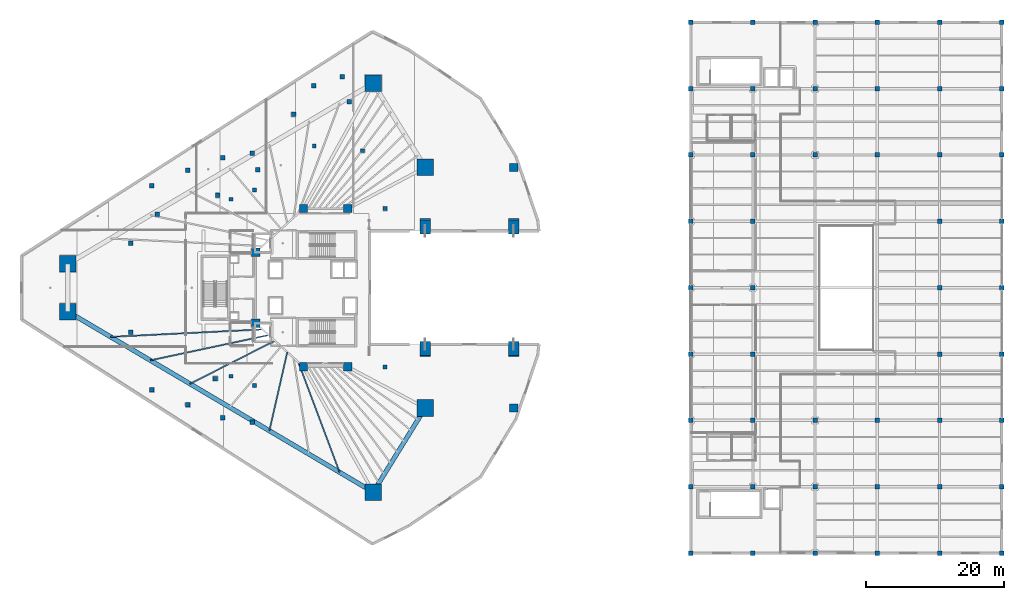
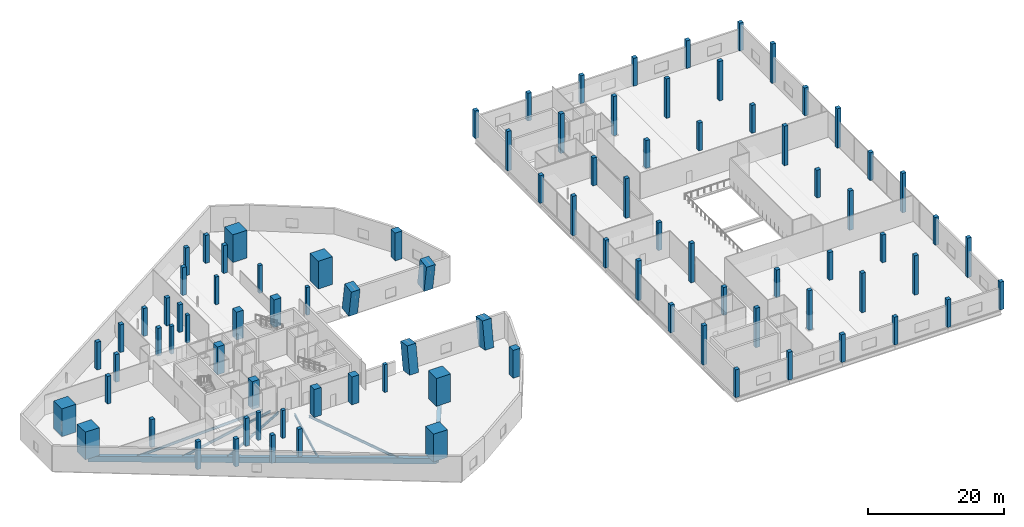
# One storey, part 1 of 43: 92 columns, 7 beams.
"""IFC4 building model written with IfcOpenShell, lengths in metres."""

from ifc_helpers import new_model, si_unit, direction, frame, origin, origin_2d, place, context, subcontext, project, spatial, rectangle, i_section, extrude, material, material_profile, profile_set, type_object, element, save


model = new_model("IFC4")

# Units and contexts
model_context = context("Model", 3, precision=1e-05, world=origin(), true_north=direction((0.0, 1.0)))
body_context = subcontext(model_context, "Body", "Model", "MODEL_VIEW")
ifc_project = project(units=[si_unit("LENGTHUNIT", "METRE"), si_unit("AREAUNIT", "SQUARE_METRE"), si_unit("VOLUMEUNIT", "CUBIC_METRE"), si_unit("PLANEANGLEUNIT", "RADIAN"), si_unit("MASSUNIT", "GRAM", prefix="KILO")], contexts=[model_context])

# Site, building, storey
site_placement = place(None, origin())
site = spatial("IfcSite", under=ifc_project, at=site_placement, CompositionType="ELEMENT")
building_placement = place(site_placement, origin())
building = spatial("IfcBuilding", under=site, at=building_placement, Name="Qorvath Tower", CompositionType="ELEMENT")
storey_placement = place(building_placement, frame((0.0, 0.0, 22.0)))
storey = spatial("IfcBuildingStorey", under=building, at=storey_placement, Name="L04", CompositionType="ELEMENT", Elevation=22.0)

# Columns
ifc_material_1 = material(Name="Concrete C70/85", Category="concrete")
ifc_material_profile_1 = material_profile(ifc_material_1, rectangle(XDim=1.5, YDim=2.0, at=origin_2d()), Name="ARCH 2000x1500")
ifc_profile_set_1 = profile_set([ifc_material_profile_1], Name="Concrete C70/85")
column_type_1 = type_object("IfcColumnType", Name="COL-ARCH2", PredefinedType="PILASTER", material=ifc_profile_set_1)
for number, where, z_axis, x_axis, name in (
    (1, (6.800048828125, 8.9912109375, 0.05419921875), (0.0, -0.157955298132, 0.987446263749), (1.0, 0.0, 0.0), "Giant Concrete Arch Rib Chord ARCH-FRONT-N-L04"),
    (2, (6.800048828125, -8.9912109375, 0.05419921875), (0.0, 0.157955298132, 0.987446263749), (-1.0, 0.0, 0.0), "Giant Concrete Arch Rib Chord ARCH-FRONT-S-L04"),
    (3, (-6.0, 8.9912109375, 0.05419921875), (0.0, -0.157955298132, 0.987446263749), (1.0, 0.0, 0.0), "Giant Concrete Arch Rib Chord ARCH-INNER-N-L04"),
    (4, (-6.0, -8.9912109375, 0.05419921875), (0.0, 0.157955298132, 0.987446263749), (-1.0, 0.0, 0.0), "Giant Concrete Arch Rib Chord ARCH-INNER-S-L04"),
):
    element("IfcColumn", number, at=place(storey_placement, frame(where, z_axis=z_axis, x_axis=x_axis)), inside=storey, type_object=column_type_1, Name=name, PredefinedType="PILASTER", context=body_context, shape_type="SweptSolid", body=[
        extrude(rectangle(XDim=1.5, YDim=2.0, at=origin_2d()), origin(), (0.0, 0.0, 1.0), 4.86865234375),
    ])
ifc_material_2 = material(Name="Concrete C70/85", Category="concrete")
ifc_material_profile_2 = material_profile(ifc_material_2, rectangle(XDim=2.39990234375, YDim=2.39990234375, at=origin_2d()), Name="MC 2400x2400")
ifc_profile_set_2 = profile_set([ifc_material_profile_2], Name="Concrete C70/85")
column_type_2 = type_object("IfcColumnType", Name="COL-MC1", PredefinedType="COLUMN", material=ifc_profile_set_2)
for number, where, z_axis, x_axis, name in (
    (5, (-57.679931640625, 3.4560546875, 0.0), (0.0, 0.0, 1.0), (1.0, 0.0, 0.0), "Composite Mega-Column MC1 L04"),
    (6, (-57.679931640625, -3.4560546875, 0.0), (0.0, 0.0, 1.0), (1.0, 0.0, 0.0), "Composite Mega-Column MC2 L04"),
    (7, (-13.52001953125, -29.568115234375, 0.0), (0.0, 0.0, 1.0), (1.0, 0.0, 0.0), "Composite Mega-Column MC3 L04"),
    (8, (-6.0, -17.39990234375, 0.0), (0.0, 0.0, 1.0), (1.0, 0.0, 0.0), "Composite Mega-Column MC4 L04"),
    (9, (-6.0, 17.39990234375, 0.0), (0.0, 0.0, 1.0), (1.0, 0.0, 0.0), "Composite Mega-Column MC5 L04"),
    (10, (-13.52001953125, 29.568115234375, 0.0), (0.0, 0.0, 1.0), (1.0, 0.0, 0.0), "Composite Mega-Column MC6 L04"),
):
    element("IfcColumn", number, at=place(storey_placement, frame(where, z_axis=z_axis, x_axis=x_axis)), inside=storey, type_object=column_type_2, Name=name, PredefinedType="COLUMN", context=body_context, shape_type="SweptSolid", body=[
        extrude(rectangle(XDim=2.39990234375, YDim=2.39990234375, at=origin_2d()), origin(), (0.0, 0.0, 1.0), 5.0),
    ])
ifc_material_3 = material(Name="Concrete C60/75", Category="concrete")
ifc_material_profile_3 = material_profile(ifc_material_3, rectangle(XDim=1.199951171875, YDim=1.199951171875, at=origin_2d()), Name="RC 1200x1200")
ifc_profile_set_3 = profile_set([ifc_material_profile_3], Name="Concrete C60/75")
column_type_3 = type_object("IfcColumnType", Name="COL-RC1", PredefinedType="COLUMN", material=ifc_profile_set_3)
for number, where, z_axis, x_axis, name in (
    (11, (6.800048828125, 17.39990234375, 0.0), (0.0, 0.0, 1.0), (1.0, 0.0, 0.0), "Arch Portal Pier FRONT-N L04"),
    (12, (6.800048828125, -17.39990234375, 0.0), (0.0, 0.0, 1.0), (1.0, 0.0, 0.0), "Arch Portal Pier FRONT-S L04"),
    (13, (-23.60009765625, 11.449951171875, 0.0), (0.0, 0.0, 1.0), (1.0, 0.0, 0.0), "Core Spine Column CC1 L04"),
    (14, (-17.199951171875, 11.449951171875, 0.0), (0.0, 0.0, 1.0), (1.0, 0.0, 0.0), "Core Spine Column CC2 L04"),
    (15, (-17.199951171875, -11.449951171875, 0.0), (0.0, 0.0, 1.0), (1.0, 0.0, 0.0), "Core Spine Column CC3 L04"),
    (16, (-23.60009765625, -11.449951171875, 0.0), (0.0, 0.0, 1.0), (1.0, 0.0, 0.0), "Core Spine Column CC4 L04"),
    (17, (-30.5, 5.14990234375, 0.0), (0.0, 0.0, 1.0), (1.0, 0.0, 0.0), "Core Spine Column CC5 L04"),
    (18, (-30.5, -5.14990234375, 0.0), (0.0, 0.0, 1.0), (1.0, 0.0, 0.0), "Core Spine Column CC6 L04"),
):
    element("IfcColumn", number, at=place(storey_placement, frame(where, z_axis=z_axis, x_axis=x_axis)), inside=storey, type_object=column_type_3, Name=name, PredefinedType="COLUMN", context=body_context, shape_type="SweptSolid", body=[
        extrude(rectangle(XDim=1.199951171875, YDim=1.199951171875, at=origin_2d()), origin(), (0.0, 0.0, 1.0), 5.0),
    ])
ifc_material_4 = material(Name="Concrete C45/55", Category="concrete")
ifc_material_profile_4 = material_profile(ifc_material_4, rectangle(XDim=0.64990234375, YDim=0.64990234375, at=origin_2d()), Name="RC 650x650")
ifc_profile_set_4 = profile_set([ifc_material_profile_4], Name="Concrete C45/55")
column_type_4 = type_object("IfcColumnType", Name="COL-RC6", PredefinedType="COLUMN", material=ifc_profile_set_4)
for number, where, z_axis, x_axis, name in (
    (19, (-45.536376953125, 14.774658203125, 0.0), (0.0, 0.0, 1.0), (1.0, 0.0, 0.0), "Loggia Frame Pier Column LGA1 L04"),
    (20, (-45.536376953125, -14.774658203125, 0.0), (0.0, 0.0, 1.0), (1.0, 0.0, 0.0), "Loggia Frame Pier Column LGA2 L04"),
    (21, (-22.13134765625, 29.20556640625, 0.0), (0.0, 0.0, 1.0), (1.0, 0.0, 0.0), "Loggia Frame Pier Column LGA3 L04"),
    (22, (-40.33251953125, 16.955810546875, 0.0), (0.0, 0.0, 1.0), (1.0, 0.0, 0.0), "Loggia Frame Pier Column LGB1 L04"),
    (23, (-40.33251953125, -16.955810546875, 0.0), (0.0, 0.0, 1.0), (1.0, 0.0, 0.0), "Loggia Frame Pier Column LGB2 L04"),
    (24, (-18.0, 30.5, 0.0), (0.0, 0.0, 1.0), (1.0, 0.0, 0.0), "Loggia Frame Pier Column LGB3 L04"),
    (25, (-35.251708984375, 18.829345703125, 0.0), (0.0, 0.0, 1.0), (1.0, 0.0, 0.0), "Loggia Frame Pier Column LGC1 L04"),
    (26, (-35.251708984375, -18.829345703125, 0.0), (0.0, 0.0, 1.0), (1.0, 0.0, 0.0), "Loggia Frame Pier Column LGC2 L04"),
    (27, (-25.03759765625, 25.058837890625, 0.0), (0.0, 0.0, 1.0), (1.0, 0.0, 0.0), "Loggia Frame Pier Column LGC3 L04"),
    (28, (-31.01611328125, 19.46044921875, 0.0), (0.0, 0.0, 1.0), (1.0, 0.0, 0.0), "Loggia Frame Pier Column LGD1 L04"),
    (29, (-31.01611328125, -19.46044921875, 0.0), (0.0, 0.0, 1.0), (1.0, 0.0, 0.0), "Loggia Frame Pier Column LGD2 L04"),
    (30, (-44.736328125, 10.65234375, 0.0), (0.0, 0.0, 1.0), (1.0, 0.0, 0.0), "Loggia Frame Pier Column LGD3 L04"),
    (31, (-48.578369140625, 6.424560546875, 0.0), (0.0, 0.0, 1.0), (1.0, 0.0, 0.0), "Loggia Frame Pier Column LGE1 L04"),
    (32, (-48.578369140625, -6.424560546875, 0.0), (0.0, 0.0, 1.0), (1.0, 0.0, 0.0), "Loggia Frame Pier Column LGE2 L04"),
    (33, (-16.981201171875, 26.92919921875, 0.0), (0.0, 0.0, 1.0), (1.0, 0.0, 0.0), "Loggia Frame Pier Column LGE3 L04"),
    (34, (-35.980712890625, 13.380859375, 0.0), (0.0, 0.0, 1.0), (1.0, 0.0, 0.0), "Loggia Frame Pier Column LGF1 L04"),
    (35, (-36.36474609375, -13.135498046875, 0.0), (0.0, 0.0, 1.0), (1.0, 0.0, 0.0), "Loggia Frame Pier Column LGF2 L04"),
    (36, (-30.224853515625, 17.0595703125, 0.0), (0.0, 0.0, 1.0), (1.0, 0.0, 0.0), "Loggia Frame Pier Column LGF3 L04"),
    (37, (32.39990234375, -38.39990234375, 0.0), (0.0, 0.0, 1.0), (1.0, 0.0, 0.0), "Library Column 1-1 L04"),
):
    element("IfcColumn", number, at=place(storey_placement, frame(where, z_axis=z_axis, x_axis=x_axis)), inside=storey, type_object=column_type_4, Name=name, PredefinedType="COLUMN", context=body_context, shape_type="SweptSolid", body=[
        extrude(rectangle(XDim=0.64990234375, YDim=0.64990234375, at=origin_2d()), origin(), (0.0, 0.0, 1.0), 5.0),
    ])
column_1_placement = place(storey_placement, frame((32.39990234375, -28.800048828125, 0.0), z_axis=(0.0, 0.0, 1.0), x_axis=(1.0, 0.0, 0.0)))
element("IfcColumn", 38, at=column_1_placement, inside=storey, type_object=column_type_4, Name="Library Column 1-2 L04", PredefinedType="COLUMN", context=body_context, shape_type="SweptSolid", body=[
    extrude(rectangle(XDim=0.64990234375, YDim=0.64990234375, at=origin_2d()), origin(), (0.0, 0.0, 1.0), 7.093505859375),
])
column_2_placement = place(storey_placement, frame((32.39990234375, -19.199951171875, 0.0), z_axis=(0.0, 0.0, 1.0), x_axis=(1.0, 0.0, 0.0)))
element("IfcColumn", 39, at=column_2_placement, inside=storey, type_object=column_type_4, Name="Library Column 1-3 L04", PredefinedType="COLUMN", context=body_context, shape_type="SweptSolid", body=[
    extrude(rectangle(XDim=0.64990234375, YDim=0.64990234375, at=origin_2d()), origin(), (0.0, 0.0, 1.0), 5.0),
])
column_3_placement = place(storey_placement, frame((32.39990234375, -9.60009765625, 0.0), z_axis=(0.0, 0.0, 1.0), x_axis=(1.0, 0.0, 0.0)))
element("IfcColumn", 40, at=column_3_placement, inside=storey, type_object=column_type_4, Name="Library Column 1-4 L04", PredefinedType="COLUMN", context=body_context, shape_type="SweptSolid", body=[
    extrude(rectangle(XDim=0.64990234375, YDim=0.64990234375, at=origin_2d()), origin(), (0.0, 0.0, 1.0), 7.093505859375),
])
column_4_placement = place(storey_placement, frame((32.39990234375, 0.0, 0.0), z_axis=(0.0, 0.0, 1.0), x_axis=(1.0, 0.0, 0.0)))
element("IfcColumn", 41, at=column_4_placement, inside=storey, type_object=column_type_4, Name="Library Column 1-5 L04", PredefinedType="COLUMN", context=body_context, shape_type="SweptSolid", body=[
    extrude(rectangle(XDim=0.64990234375, YDim=0.64990234375, at=origin_2d()), origin(), (0.0, 0.0, 1.0), 5.0),
])
column_5_placement = place(storey_placement, frame((32.39990234375, 9.60009765625, 0.0), z_axis=(0.0, 0.0, 1.0), x_axis=(1.0, 0.0, 0.0)))
element("IfcColumn", 42, at=column_5_placement, inside=storey, type_object=column_type_4, Name="Library Column 1-6 L04", PredefinedType="COLUMN", context=body_context, shape_type="SweptSolid", body=[
    extrude(rectangle(XDim=0.64990234375, YDim=0.64990234375, at=origin_2d()), origin(), (0.0, 0.0, 1.0), 7.093505859375),
])
column_6_placement = place(storey_placement, frame((32.39990234375, 19.199951171875, 0.0), z_axis=(0.0, 0.0, 1.0), x_axis=(1.0, 0.0, 0.0)))
element("IfcColumn", 43, at=column_6_placement, inside=storey, type_object=column_type_4, Name="Library Column 1-7 L04", PredefinedType="COLUMN", context=body_context, shape_type="SweptSolid", body=[
    extrude(rectangle(XDim=0.64990234375, YDim=0.64990234375, at=origin_2d()), origin(), (0.0, 0.0, 1.0), 5.0),
])
column_7_placement = place(storey_placement, frame((32.39990234375, 28.800048828125, 0.0), z_axis=(0.0, 0.0, 1.0), x_axis=(1.0, 0.0, 0.0)))
element("IfcColumn", 44, at=column_7_placement, inside=storey, type_object=column_type_4, Name="Library Column 1-8 L04", PredefinedType="COLUMN", context=body_context, shape_type="SweptSolid", body=[
    extrude(rectangle(XDim=0.64990234375, YDim=0.64990234375, at=origin_2d()), origin(), (0.0, 0.0, 1.0), 7.093505859375),
])
for number, where, z_axis, x_axis, name in (
    (45, (32.39990234375, 38.39990234375, 0.0), (0.0, 0.0, 1.0), (1.0, 0.0, 0.0), "Library Column 1-9 L04"),
    (46, (41.39990234375, -38.39990234375, 0.0), (0.0, 0.0, 1.0), (1.0, 0.0, 0.0), "Library Column 2-1 L04"),
):
    element("IfcColumn", number, at=place(storey_placement, frame(where, z_axis=z_axis, x_axis=x_axis)), inside=storey, type_object=column_type_4, Name=name, PredefinedType="COLUMN", context=body_context, shape_type="SweptSolid", body=[
        extrude(rectangle(XDim=0.64990234375, YDim=0.64990234375, at=origin_2d()), origin(), (0.0, 0.0, 1.0), 5.0),
    ])
column_8_placement = place(storey_placement, frame((41.39990234375, -28.800048828125, 0.0), z_axis=(0.0, 0.0, 1.0), x_axis=(1.0, 0.0, 0.0)))
element("IfcColumn", 47, at=column_8_placement, inside=storey, type_object=column_type_4, Name="Library Column 2-2 L04", PredefinedType="COLUMN", context=body_context, shape_type="SweptSolid", body=[
    extrude(rectangle(XDim=0.64990234375, YDim=0.64990234375, at=origin_2d()), origin(), (0.0, 0.0, 1.0), 7.093505859375),
])
column_9_placement = place(storey_placement, frame((41.39990234375, -19.199951171875, 0.0), z_axis=(0.0, 0.0, 1.0), x_axis=(1.0, 0.0, 0.0)))
element("IfcColumn", 48, at=column_9_placement, inside=storey, type_object=column_type_4, Name="Library Column 2-3 L04", PredefinedType="COLUMN", context=body_context, shape_type="SweptSolid", body=[
    extrude(rectangle(XDim=0.64990234375, YDim=0.64990234375, at=origin_2d()), origin(), (0.0, 0.0, 1.0), 5.0),
])
column_10_placement = place(storey_placement, frame((41.39990234375, -9.60009765625, 0.0), z_axis=(0.0, 0.0, 1.0), x_axis=(1.0, 0.0, 0.0)))
element("IfcColumn", 49, at=column_10_placement, inside=storey, type_object=column_type_4, Name="Library Column 2-4 L04", PredefinedType="COLUMN", context=body_context, shape_type="SweptSolid", body=[
    extrude(rectangle(XDim=0.64990234375, YDim=0.64990234375, at=origin_2d()), origin(), (0.0, 0.0, 1.0), 7.093505859375),
])
column_11_placement = place(storey_placement, frame((41.39990234375, 0.0, 0.0), z_axis=(0.0, 0.0, 1.0), x_axis=(1.0, 0.0, 0.0)))
element("IfcColumn", 50, at=column_11_placement, inside=storey, type_object=column_type_4, Name="Library Column 2-5 L04", PredefinedType="COLUMN", context=body_context, shape_type="SweptSolid", body=[
    extrude(rectangle(XDim=0.64990234375, YDim=0.64990234375, at=origin_2d()), origin(), (0.0, 0.0, 1.0), 5.0),
])
column_12_placement = place(storey_placement, frame((41.39990234375, 9.60009765625, 0.0), z_axis=(0.0, 0.0, 1.0), x_axis=(1.0, 0.0, 0.0)))
element("IfcColumn", 51, at=column_12_placement, inside=storey, type_object=column_type_4, Name="Library Column 2-6 L04", PredefinedType="COLUMN", context=body_context, shape_type="SweptSolid", body=[
    extrude(rectangle(XDim=0.64990234375, YDim=0.64990234375, at=origin_2d()), origin(), (0.0, 0.0, 1.0), 7.093505859375),
])
column_13_placement = place(storey_placement, frame((41.39990234375, 19.199951171875, 0.0), z_axis=(0.0, 0.0, 1.0), x_axis=(1.0, 0.0, 0.0)))
element("IfcColumn", 52, at=column_13_placement, inside=storey, type_object=column_type_4, Name="Library Column 2-7 L04", PredefinedType="COLUMN", context=body_context, shape_type="SweptSolid", body=[
    extrude(rectangle(XDim=0.64990234375, YDim=0.64990234375, at=origin_2d()), origin(), (0.0, 0.0, 1.0), 5.0),
])
column_14_placement = place(storey_placement, frame((41.39990234375, 28.800048828125, 0.0), z_axis=(0.0, 0.0, 1.0), x_axis=(1.0, 0.0, 0.0)))
element("IfcColumn", 53, at=column_14_placement, inside=storey, type_object=column_type_4, Name="Library Column 2-8 L04", PredefinedType="COLUMN", context=body_context, shape_type="SweptSolid", body=[
    extrude(rectangle(XDim=0.64990234375, YDim=0.64990234375, at=origin_2d()), origin(), (0.0, 0.0, 1.0), 7.093505859375),
])
for number, where, z_axis, x_axis, name in (
    (54, (41.39990234375, 38.39990234375, 0.0), (0.0, 0.0, 1.0), (1.0, 0.0, 0.0), "Library Column 2-9 L04"),
    (55, (50.39990234375, -38.39990234375, 0.0), (0.0, 0.0, 1.0), (1.0, 0.0, 0.0), "Library Column 3-1 L04"),
):
    element("IfcColumn", number, at=place(storey_placement, frame(where, z_axis=z_axis, x_axis=x_axis)), inside=storey, type_object=column_type_4, Name=name, PredefinedType="COLUMN", context=body_context, shape_type="SweptSolid", body=[
        extrude(rectangle(XDim=0.64990234375, YDim=0.64990234375, at=origin_2d()), origin(), (0.0, 0.0, 1.0), 5.0),
    ])
column_15_placement = place(storey_placement, frame((50.39990234375, -28.800048828125, 0.0), z_axis=(0.0, 0.0, 1.0), x_axis=(1.0, 0.0, 0.0)))
element("IfcColumn", 56, at=column_15_placement, inside=storey, type_object=column_type_4, Name="Library Column 3-2 L04", PredefinedType="COLUMN", context=body_context, shape_type="SweptSolid", body=[
    extrude(rectangle(XDim=0.64990234375, YDim=0.64990234375, at=origin_2d()), origin(), (0.0, 0.0, 1.0), 7.093505859375),
])
for number, where, z_axis, x_axis, name in (
    (57, (50.39990234375, -19.199951171875, 0.0), (0.0, 0.0, 1.0), (1.0, 0.0, 0.0), "Library Column 3-3 L04"),
    (58, (50.39990234375, 19.199951171875, 0.0), (0.0, 0.0, 1.0), (1.0, 0.0, 0.0), "Library Column 3-7 L04"),
):
    element("IfcColumn", number, at=place(storey_placement, frame(where, z_axis=z_axis, x_axis=x_axis)), inside=storey, type_object=column_type_4, Name=name, PredefinedType="COLUMN", context=body_context, shape_type="SweptSolid", body=[
        extrude(rectangle(XDim=0.64990234375, YDim=0.64990234375, at=origin_2d()), origin(), (0.0, 0.0, 1.0), 5.0),
    ])
column_16_placement = place(storey_placement, frame((50.39990234375, 28.800048828125, 0.0), z_axis=(0.0, 0.0, 1.0), x_axis=(1.0, 0.0, 0.0)))
element("IfcColumn", 59, at=column_16_placement, inside=storey, type_object=column_type_4, Name="Library Column 3-8 L04", PredefinedType="COLUMN", context=body_context, shape_type="SweptSolid", body=[
    extrude(rectangle(XDim=0.64990234375, YDim=0.64990234375, at=origin_2d()), origin(), (0.0, 0.0, 1.0), 7.093505859375),
])
for number, where, z_axis, x_axis, name in (
    (60, (50.39990234375, 38.39990234375, 0.0), (0.0, 0.0, 1.0), (1.0, 0.0, 0.0), "Library Column 3-9 L04"),
    (61, (59.39990234375, -38.39990234375, 0.0), (0.0, 0.0, 1.0), (1.0, 0.0, 0.0), "Library Column 4-1 L04"),
):
    element("IfcColumn", number, at=place(storey_placement, frame(where, z_axis=z_axis, x_axis=x_axis)), inside=storey, type_object=column_type_4, Name=name, PredefinedType="COLUMN", context=body_context, shape_type="SweptSolid", body=[
        extrude(rectangle(XDim=0.64990234375, YDim=0.64990234375, at=origin_2d()), origin(), (0.0, 0.0, 1.0), 5.0),
    ])
column_17_placement = place(storey_placement, frame((59.39990234375, -28.800048828125, 0.0), z_axis=(0.0, 0.0, 1.0), x_axis=(1.0, 0.0, 0.0)))
element("IfcColumn", 62, at=column_17_placement, inside=storey, type_object=column_type_4, Name="Library Column 4-2 L04", PredefinedType="COLUMN", context=body_context, shape_type="SweptSolid", body=[
    extrude(rectangle(XDim=0.64990234375, YDim=0.64990234375, at=origin_2d()), origin(), (0.0, 0.0, 1.0), 7.093505859375),
])
for number, where, z_axis, x_axis, name in (
    (63, (59.39990234375, -19.199951171875, 0.0), (0.0, 0.0, 1.0), (1.0, 0.0, 0.0), "Library Column 4-3 L04"),
    (64, (59.39990234375, 19.199951171875, 0.0), (0.0, 0.0, 1.0), (1.0, 0.0, 0.0), "Library Column 4-7 L04"),
):
    element("IfcColumn", number, at=place(storey_placement, frame(where, z_axis=z_axis, x_axis=x_axis)), inside=storey, type_object=column_type_4, Name=name, PredefinedType="COLUMN", context=body_context, shape_type="SweptSolid", body=[
        extrude(rectangle(XDim=0.64990234375, YDim=0.64990234375, at=origin_2d()), origin(), (0.0, 0.0, 1.0), 5.0),
    ])
column_18_placement = place(storey_placement, frame((59.39990234375, 28.800048828125, 0.0), z_axis=(0.0, 0.0, 1.0), x_axis=(1.0, 0.0, 0.0)))
element("IfcColumn", 65, at=column_18_placement, inside=storey, type_object=column_type_4, Name="Library Column 4-8 L04", PredefinedType="COLUMN", context=body_context, shape_type="SweptSolid", body=[
    extrude(rectangle(XDim=0.64990234375, YDim=0.64990234375, at=origin_2d()), origin(), (0.0, 0.0, 1.0), 7.093505859375),
])
for number, where, z_axis, x_axis, name in (
    (66, (59.39990234375, 38.39990234375, 0.0), (0.0, 0.0, 1.0), (1.0, 0.0, 0.0), "Library Column 4-9 L04"),
    (67, (68.39990234375, -38.39990234375, 0.0), (0.0, 0.0, 1.0), (1.0, 0.0, 0.0), "Library Column 5-1 L04"),
):
    element("IfcColumn", number, at=place(storey_placement, frame(where, z_axis=z_axis, x_axis=x_axis)), inside=storey, type_object=column_type_4, Name=name, PredefinedType="COLUMN", context=body_context, shape_type="SweptSolid", body=[
        extrude(rectangle(XDim=0.64990234375, YDim=0.64990234375, at=origin_2d()), origin(), (0.0, 0.0, 1.0), 5.0),
    ])
column_19_placement = place(storey_placement, frame((68.39990234375, -28.800048828125, 0.0), z_axis=(0.0, 0.0, 1.0), x_axis=(1.0, 0.0, 0.0)))
element("IfcColumn", 68, at=column_19_placement, inside=storey, type_object=column_type_4, Name="Library Column 5-2 L04", PredefinedType="COLUMN", context=body_context, shape_type="SweptSolid", body=[
    extrude(rectangle(XDim=0.64990234375, YDim=0.64990234375, at=origin_2d()), origin(), (0.0, 0.0, 1.0), 7.093505859375),
])
column_20_placement = place(storey_placement, frame((68.39990234375, -19.199951171875, 0.0), z_axis=(0.0, 0.0, 1.0), x_axis=(1.0, 0.0, 0.0)))
element("IfcColumn", 69, at=column_20_placement, inside=storey, type_object=column_type_4, Name="Library Column 5-3 L04", PredefinedType="COLUMN", context=body_context, shape_type="SweptSolid", body=[
    extrude(rectangle(XDim=0.64990234375, YDim=0.64990234375, at=origin_2d()), origin(), (0.0, 0.0, 1.0), 5.0),
])
column_21_placement = place(storey_placement, frame((68.39990234375, -9.60009765625, 0.0), z_axis=(0.0, 0.0, 1.0), x_axis=(1.0, 0.0, 0.0)))
element("IfcColumn", 70, at=column_21_placement, inside=storey, type_object=column_type_4, Name="Library Column 5-4 L04", PredefinedType="COLUMN", context=body_context, shape_type="SweptSolid", body=[
    extrude(rectangle(XDim=0.64990234375, YDim=0.64990234375, at=origin_2d()), origin(), (0.0, 0.0, 1.0), 7.093505859375),
])
column_22_placement = place(storey_placement, frame((68.39990234375, 0.0, 0.0), z_axis=(0.0, 0.0, 1.0), x_axis=(1.0, 0.0, 0.0)))
element("IfcColumn", 71, at=column_22_placement, inside=storey, type_object=column_type_4, Name="Library Column 5-5 L04", PredefinedType="COLUMN", context=body_context, shape_type="SweptSolid", body=[
    extrude(rectangle(XDim=0.64990234375, YDim=0.64990234375, at=origin_2d()), origin(), (0.0, 0.0, 1.0), 5.0),
])
column_23_placement = place(storey_placement, frame((68.39990234375, 9.60009765625, 0.0), z_axis=(0.0, 0.0, 1.0), x_axis=(1.0, 0.0, 0.0)))
element("IfcColumn", 72, at=column_23_placement, inside=storey, type_object=column_type_4, Name="Library Column 5-6 L04", PredefinedType="COLUMN", context=body_context, shape_type="SweptSolid", body=[
    extrude(rectangle(XDim=0.64990234375, YDim=0.64990234375, at=origin_2d()), origin(), (0.0, 0.0, 1.0), 7.093505859375),
])
column_24_placement = place(storey_placement, frame((68.39990234375, 19.199951171875, 0.0), z_axis=(0.0, 0.0, 1.0), x_axis=(1.0, 0.0, 0.0)))
element("IfcColumn", 73, at=column_24_placement, inside=storey, type_object=column_type_4, Name="Library Column 5-7 L04", PredefinedType="COLUMN", context=body_context, shape_type="SweptSolid", body=[
    extrude(rectangle(XDim=0.64990234375, YDim=0.64990234375, at=origin_2d()), origin(), (0.0, 0.0, 1.0), 5.0),
])
column_25_placement = place(storey_placement, frame((68.39990234375, 28.800048828125, 0.0), z_axis=(0.0, 0.0, 1.0), x_axis=(1.0, 0.0, 0.0)))
element("IfcColumn", 74, at=column_25_placement, inside=storey, type_object=column_type_4, Name="Library Column 5-8 L04", PredefinedType="COLUMN", context=body_context, shape_type="SweptSolid", body=[
    extrude(rectangle(XDim=0.64990234375, YDim=0.64990234375, at=origin_2d()), origin(), (0.0, 0.0, 1.0), 7.093505859375),
])
for number, where, z_axis, x_axis, name in (
    (75, (68.39990234375, 38.39990234375, 0.0), (0.0, 0.0, 1.0), (1.0, 0.0, 0.0), "Library Column 5-9 L04"),
    (76, (77.39990234375, -38.39990234375, 0.0), (0.0, 0.0, 1.0), (1.0, 0.0, 0.0), "Library Column 6-1 L04"),
):
    element("IfcColumn", number, at=place(storey_placement, frame(where, z_axis=z_axis, x_axis=x_axis)), inside=storey, type_object=column_type_4, Name=name, PredefinedType="COLUMN", context=body_context, shape_type="SweptSolid", body=[
        extrude(rectangle(XDim=0.64990234375, YDim=0.64990234375, at=origin_2d()), origin(), (0.0, 0.0, 1.0), 5.0),
    ])
column_26_placement = place(storey_placement, frame((77.39990234375, -28.800048828125, 0.0), z_axis=(0.0, 0.0, 1.0), x_axis=(1.0, 0.0, 0.0)))
element("IfcColumn", 77, at=column_26_placement, inside=storey, type_object=column_type_4, Name="Library Column 6-2 L04", PredefinedType="COLUMN", context=body_context, shape_type="SweptSolid", body=[
    extrude(rectangle(XDim=0.64990234375, YDim=0.64990234375, at=origin_2d()), origin(), (0.0, 0.0, 1.0), 7.093505859375),
])
column_27_placement = place(storey_placement, frame((77.39990234375, -19.199951171875, 0.0), z_axis=(0.0, 0.0, 1.0), x_axis=(1.0, 0.0, 0.0)))
element("IfcColumn", 78, at=column_27_placement, inside=storey, type_object=column_type_4, Name="Library Column 6-3 L04", PredefinedType="COLUMN", context=body_context, shape_type="SweptSolid", body=[
    extrude(rectangle(XDim=0.64990234375, YDim=0.64990234375, at=origin_2d()), origin(), (0.0, 0.0, 1.0), 5.0),
])
column_28_placement = place(storey_placement, frame((77.39990234375, -9.60009765625, 0.0), z_axis=(0.0, 0.0, 1.0), x_axis=(1.0, 0.0, 0.0)))
element("IfcColumn", 79, at=column_28_placement, inside=storey, type_object=column_type_4, Name="Library Column 6-4 L04", PredefinedType="COLUMN", context=body_context, shape_type="SweptSolid", body=[
    extrude(rectangle(XDim=0.64990234375, YDim=0.64990234375, at=origin_2d()), origin(), (0.0, 0.0, 1.0), 7.093505859375),
])
column_29_placement = place(storey_placement, frame((77.39990234375, 0.0, 0.0), z_axis=(0.0, 0.0, 1.0), x_axis=(1.0, 0.0, 0.0)))
element("IfcColumn", 80, at=column_29_placement, inside=storey, type_object=column_type_4, Name="Library Column 6-5 L04", PredefinedType="COLUMN", context=body_context, shape_type="SweptSolid", body=[
    extrude(rectangle(XDim=0.64990234375, YDim=0.64990234375, at=origin_2d()), origin(), (0.0, 0.0, 1.0), 5.0),
])
column_30_placement = place(storey_placement, frame((77.39990234375, 9.60009765625, 0.0), z_axis=(0.0, 0.0, 1.0), x_axis=(1.0, 0.0, 0.0)))
element("IfcColumn", 81, at=column_30_placement, inside=storey, type_object=column_type_4, Name="Library Column 6-6 L04", PredefinedType="COLUMN", context=body_context, shape_type="SweptSolid", body=[
    extrude(rectangle(XDim=0.64990234375, YDim=0.64990234375, at=origin_2d()), origin(), (0.0, 0.0, 1.0), 7.093505859375),
])
column_31_placement = place(storey_placement, frame((77.39990234375, 19.199951171875, 0.0), z_axis=(0.0, 0.0, 1.0), x_axis=(1.0, 0.0, 0.0)))
element("IfcColumn", 82, at=column_31_placement, inside=storey, type_object=column_type_4, Name="Library Column 6-7 L04", PredefinedType="COLUMN", context=body_context, shape_type="SweptSolid", body=[
    extrude(rectangle(XDim=0.64990234375, YDim=0.64990234375, at=origin_2d()), origin(), (0.0, 0.0, 1.0), 5.0),
])
column_32_placement = place(storey_placement, frame((77.39990234375, 28.800048828125, 0.0), z_axis=(0.0, 0.0, 1.0), x_axis=(1.0, 0.0, 0.0)))
element("IfcColumn", 83, at=column_32_placement, inside=storey, type_object=column_type_4, Name="Library Column 6-8 L04", PredefinedType="COLUMN", context=body_context, shape_type="SweptSolid", body=[
    extrude(rectangle(XDim=0.64990234375, YDim=0.64990234375, at=origin_2d()), origin(), (0.0, 0.0, 1.0), 7.093505859375),
])
column_33_placement = place(storey_placement, frame((77.39990234375, 38.39990234375, 0.0), z_axis=(0.0, 0.0, 1.0), x_axis=(1.0, 0.0, 0.0)))
element("IfcColumn", 84, at=column_33_placement, inside=storey, type_object=column_type_4, Name="Library Column 6-9 L04", PredefinedType="COLUMN", context=body_context, shape_type="SweptSolid", body=[
    extrude(rectangle(XDim=0.64990234375, YDim=0.64990234375, at=origin_2d()), origin(), (0.0, 0.0, 1.0), 5.0),
])
ifc_material_5 = material(Name="Concrete C45/55", Category="concrete")
ifc_material_profile_5 = material_profile(ifc_material_5, rectangle(XDim=0.550048828125, YDim=0.550048828125, at=origin_2d()), Name="RC 550x550")
ifc_profile_set_5 = profile_set([ifc_material_profile_5], Name="Concrete C45/55")
column_type_5 = type_object("IfcColumnType", Name="COL-RC7", PredefinedType="COLUMN", material=ifc_profile_set_5)
for number, where, z_axis, x_axis, name in (
    (85, (-34.104248046875, 12.79248046875, 0.0), (0.0, 0.0, 1.0), (1.0, 0.0, 0.0), "Loggia Frame Pier Column LGG1 L04"),
    (86, (-34.104248046875, -12.79248046875, 0.0), (0.0, 0.0, 1.0), (1.0, 0.0, 0.0), "Loggia Frame Pier Column LGG2 L04"),
    (87, (-22.05322265625, 20.494873046875, 0.0), (0.0, 0.0, 1.0), (1.0, 0.0, 0.0), "Loggia Frame Pier Column LGG3 L04"),
    (88, (-30.67724609375, 14.124267578125, 0.0), (0.0, 0.0, 1.0), (1.0, 0.0, 0.0), "Loggia Frame Pier Column LGH1 L04"),
    (89, (-30.67724609375, -14.124267578125, 0.0), (0.0, 0.0, 1.0), (1.0, 0.0, 0.0), "Loggia Frame Pier Column LGH2 L04"),
    (90, (-15.046142578125, 19.818115234375, 0.0), (0.0, 0.0, 1.0), (1.0, 0.0, 0.0), "Loggia Frame Pier Column LGH3 L04"),
    (91, (-11.800048828125, -11.449951171875, 0.0), (0.0, 0.0, 1.0), (1.0, 0.0, 0.0), "Central Slot Jamb Column SC1 L04"),
    (92, (-11.800048828125, 11.449951171875, 0.0), (0.0, 0.0, 1.0), (1.0, 0.0, 0.0), "Central Slot Jamb Column SC2 L04"),
):
    element("IfcColumn", number, at=place(storey_placement, frame(where, z_axis=z_axis, x_axis=x_axis)), inside=storey, type_object=column_type_5, Name=name, PredefinedType="COLUMN", context=body_context, shape_type="SweptSolid", body=[
        extrude(rectangle(XDim=0.550048828125, YDim=0.550048828125, at=origin_2d()), origin(), (0.0, 0.0, 1.0), 5.0),
    ])

# Beams
ifc_material_6 = material(Name="Steel ASTM A992 Grade 50", Category="steel")
ifc_material_profile_6 = material_profile(ifc_material_6, i_section(OverallWidth=0.18994140625, OverallDepth=0.45703125, WebThickness=0.009033203125, FlangeThickness=0.014404296875, FilletRadius=0.011962890625, at=origin_2d()), Name="W18x50")
ifc_profile_set_6 = profile_set([ifc_material_profile_6], Name="Steel ASTM A992 Grade 50")
beam_type_1 = type_object("IfcBeamType", Name="BM-FJ2", PredefinedType="JOIST", material=ifc_profile_set_6)
beam_1_placement = place(storey_placement, frame((-29.533935546875, -6.031982421875, -0.488525390625), z_axis=(-0.998794149334, -0.04909426907, 0.0), x_axis=(0.04909426907, -0.998794149334, 0.0)))
element("IfcBeam", 93, at=beam_1_placement, inside=storey, type_object=beam_type_1, Name="Composite Floor Joist SW1 L04", PredefinedType="JOIST", context=body_context, shape_type="SweptSolid", body=[
    extrude(i_section(OverallWidth=0.18994140625, OverallDepth=0.45703125, WebThickness=0.009033203125, FlangeThickness=0.014404296875, FilletRadius=0.011962890625, at=origin_2d()), origin(), (0.0, 0.0, 1.0), 21.990234375),
])
beam_2_placement = place(storey_placement, frame((-28.636962890625, -6.85107421875, -0.488525390625), z_axis=(-0.977957459776, -0.208804230962, 0.0), x_axis=(0.208804230962, -0.977957459776, 0.0)))
element("IfcBeam", 94, at=beam_2_placement, inside=storey, type_object=beam_type_1, Name="Composite Floor Joist SW2 L04", PredefinedType="JOIST", context=body_context, shape_type="SweptSolid", body=[
    extrude(i_section(OverallWidth=0.18994140625, OverallDepth=0.45703125, WebThickness=0.009033203125, FlangeThickness=0.014404296875, FilletRadius=0.011962890625, at=origin_2d()), origin(), (0.0, 0.0, 1.0), 17.505859375),
])
beam_3_placement = place(storey_placement, frame((-27.739990234375, -7.669921875, -0.488525390625), z_axis=(-0.891711806986, -0.452603638166, 0.0), x_axis=(0.452603638166, -0.891711806986, 0.0)))
element("IfcBeam", 95, at=beam_3_placement, inside=storey, type_object=beam_type_1, Name="Composite Floor Joist SW3 L04", PredefinedType="JOIST", context=body_context, shape_type="SweptSolid", body=[
    extrude(i_section(OverallWidth=0.18994140625, OverallDepth=0.45703125, WebThickness=0.009033203125, FlangeThickness=0.014404296875, FilletRadius=0.011962890625, at=origin_2d()), origin(), (0.0, 0.0, 1.0), 13.766845703125),
])
beam_4_placement = place(storey_placement, frame((-25.946044921875, -9.30810546875, -0.488525390625), z_axis=(-0.221751282053, -0.975103260639, 0.0), x_axis=(0.975103260639, -0.221751282053, 0.0)))
element("IfcBeam", 96, at=beam_4_placement, inside=storey, type_object=beam_type_1, Name="Composite Floor Joist SW5 L04", PredefinedType="JOIST", context=body_context, shape_type="SweptSolid", body=[
    extrude(i_section(OverallWidth=0.18994140625, OverallDepth=0.45703125, WebThickness=0.009033203125, FlangeThickness=0.014404296875, FilletRadius=0.011962890625, at=origin_2d()), origin(), (0.0, 0.0, 1.0), 11.67236328125),
])
beam_5_placement = place(storey_placement, frame((-24.35888671875, -10.757080078125, -0.488525390625), z_axis=(0.351338742889, -0.936248411344, 0.0), x_axis=(0.936248411344, 0.351338742889, 0.0)))
element("IfcBeam", 97, at=beam_5_placement, inside=storey, type_object=beam_type_1, Name="Composite Floor Joist SW7 L04", PredefinedType="JOIST", context=body_context, shape_type="SweptSolid", body=[
    extrude(i_section(OverallWidth=0.18994140625, OverallDepth=0.45703125, WebThickness=0.009033203125, FlangeThickness=0.014404296875, FilletRadius=0.011962890625, at=origin_2d()), origin(), (0.0, 0.0, 1.0), 17.02392578125),
])
ifc_material_7 = material(Name="Concrete C50/60", Category="concrete")
ifc_material_profile_7 = material_profile(ifc_material_7, rectangle(XDim=0.64990234375, YDim=1.0, at=origin_2d()), Name="RCB 1000x650")
ifc_profile_set_7 = profile_set([ifc_material_profile_7], Name="Concrete C50/60")
beam_type_2 = type_object("IfcBeamType", Name="BM-RCB1", PredefinedType="SPANDREL", material=ifc_profile_set_7)
beam_6_placement = place(storey_placement, frame((-57.679931640625, -3.4560546875, -0.760009765625), z_axis=(0.860776517711, -0.50898309064, 0.0), x_axis=(0.50898309064, 0.860776517711, 0.0)))
element("IfcBeam", 98, at=beam_6_placement, inside=storey, type_object=beam_type_2, Name="Perimeter Loggia Frame Beam MC2-MC3 L04", PredefinedType="SPANDREL", context=body_context, shape_type="SweptSolid", body=[
    extrude(rectangle(XDim=0.64990234375, YDim=1.0, at=origin_2d()), origin(), (0.0, 0.0, 1.0), 51.302490234375),
])
beam_7_placement = place(storey_placement, frame((-13.52001953125, -29.568115234375, -0.760009765625), z_axis=(0.525713426157, 0.850661738624, 0.0), x_axis=(-0.850661738624, 0.525713426157, 0.0)))
element("IfcBeam", 99, at=beam_7_placement, inside=storey, type_object=beam_type_2, Name="Perimeter Loggia Frame Beam MC3-MC4 L04", PredefinedType="SPANDREL", context=body_context, shape_type="SweptSolid", body=[
    extrude(rectangle(XDim=0.64990234375, YDim=1.0, at=origin_2d()), origin(), (0.0, 0.0, 1.0), 14.304443359375),
])

save(model, "model.ifc")
